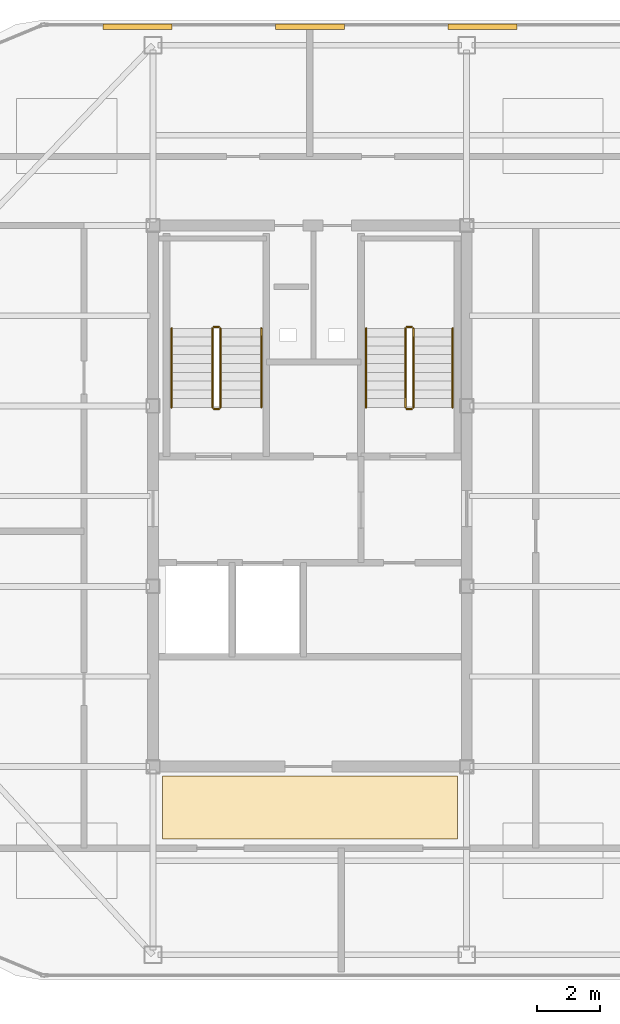
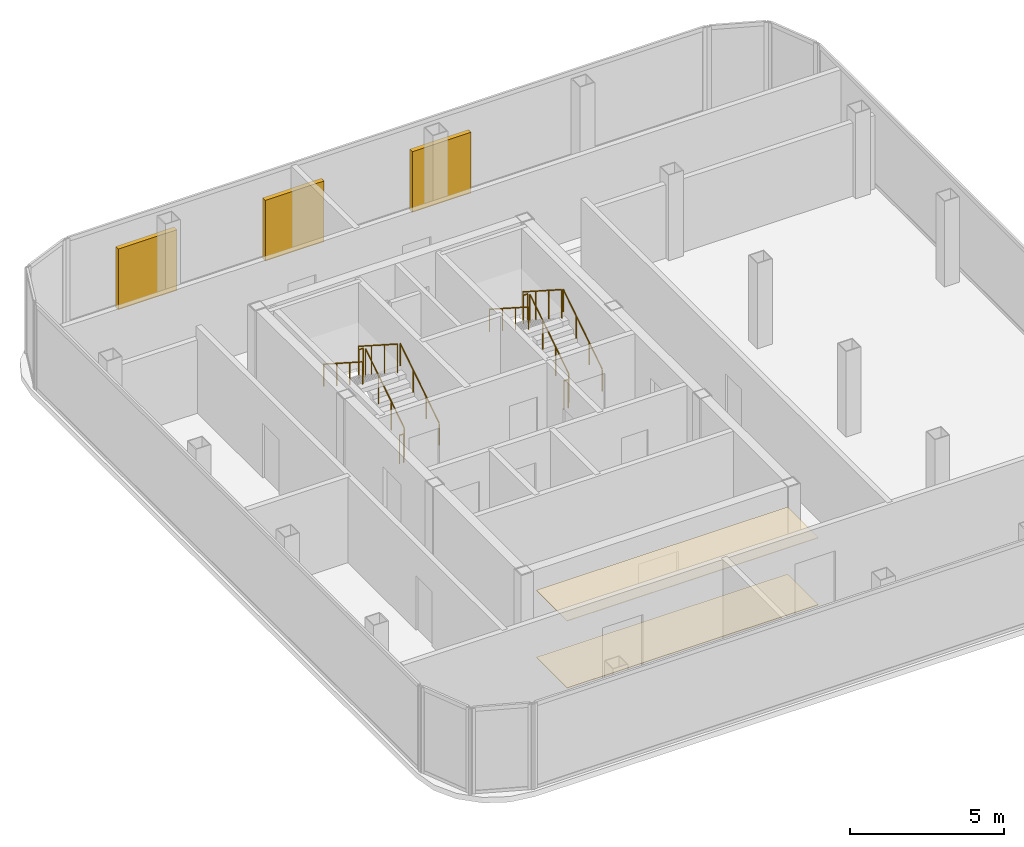
# One storey, part 11 of 11: 12 railings, 3 shading devices, 2 coverings.
"""IFC4 building model written with IfcOpenShell, lengths in metres."""

import ifcopenshell
import ifcopenshell.guid

model = None  # the IFC model being written
_history = None  # IfcOwnerHistory: only IFC2X3 demands one
_inside = {}  # id of a spatial element -> (the spatial element, [elements in it])
_under = {}  # id of a project, library or spatial element -> (it, [spatial elements below it])
_declared = {}  # id of a project -> (the project, [libraries it declares])
_typed = {}  # id of a type object -> (the type object, [elements of that type])
_made_of = {}  # id of a material, layer set ... -> (it, [elements and type objects made of it])


def new_model(schema):
    """Start an empty IFC model of exactly this schema.

    Asked for "IFC4X3", IfcOpenShell would pick the latest addendum, in which some entities
    have other attributes; the version numbers below select the first issue.
    IFC2X3 requires an IfcOwnerHistory on every rooted entity: one is made here for all.
    """
    global model, _history
    if schema == "IFC4X3":
        model = ifcopenshell.file(schema_version=(4, 3, 0, 0))
    else:
        model = ifcopenshell.file(schema=schema)
    _inside.clear()
    _under.clear()
    _declared.clear()
    _typed.clear()
    _made_of.clear()
    _history = None
    if model.schema == "IFC2X3":
        org = make("IfcOrganization", Name="unknown")
        user = make(
            "IfcPersonAndOrganization",
            ThePerson=make("IfcPerson", FamilyName="unknown"),
            TheOrganization=org,
        )
        app = make(
            "IfcApplication",
            ApplicationDeveloper=org,
            Version="unknown",
            ApplicationFullName="unknown",
            ApplicationIdentifier="unknown",
        )
        _history = make(
            "IfcOwnerHistory",
            OwningUser=user,
            OwningApplication=app,
            ChangeAction="ADDED",
            CreationDate=0,
        )
    return model


def make(cls, **values):
    """One entity of the class cls with the attributes given. An attribute that is None is left unset."""
    return model.create_entity(
        cls, **{name: value for name, value in values.items() if value is not None}
    )


def rooted(cls, **values):
    """An entity with a GlobalId (a new one), such as an element, a storey or a relation."""
    return make(cls, GlobalId=ifcopenshell.guid.new(), OwnerHistory=_history, **values)


def si_unit(unit_type, name, prefix=None):
    """IfcSIUnit, for example si_unit("LENGTHUNIT", "METRE", prefix="MILLI")."""
    return make("IfcSIUnit", UnitType=unit_type, Prefix=prefix, Name=name)


def assignment(units):
    """IfcUnitAssignment: the units of a project."""
    return None if units is None else make("IfcUnitAssignment", Units=units)


def point(xyz):
    """IfcCartesianPoint."""
    return None if xyz is None else make("IfcCartesianPoint", Coordinates=xyz)


def direction(xyz):
    """IfcDirection."""
    return None if xyz is None else make("IfcDirection", DirectionRatios=xyz)


def frame(location, z_axis=None, x_axis=None):
    """IfcAxis2Placement3D, a coordinate frame: its origin and axes. An axis left out is left unset."""
    return make(
        "IfcAxis2Placement3D",
        Location=point(location),
        Axis=direction(z_axis),
        RefDirection=direction(x_axis),
    )


def frame_2d(location, x_axis=None):
    """IfcAxis2Placement2D, a coordinate frame in the plane: its origin and x axis."""
    return make(
        "IfcAxis2Placement2D", Location=point(location), RefDirection=direction(x_axis)
    )


def origin():
    """The frame at (0, 0, 0) with its axes left unset."""
    return frame((0.0, 0.0, 0.0))


def origin_2d():
    """The frame at (0, 0) in the plane with its x axis left unset."""
    return frame_2d((0.0, 0.0))


def place(relative_to, where):
    """IfcLocalPlacement: puts the frame where relative to a parent placement (None: the world)."""
    return make(
        "IfcLocalPlacement", PlacementRelTo=relative_to, RelativePlacement=where
    )


def context(
    kind, dimensions, precision=None, world=None, true_north=None, identifier=None
):
    """IfcGeometricRepresentationContext, for example the 3D "Model" context."""
    return make(
        "IfcGeometricRepresentationContext",
        ContextIdentifier=identifier,
        ContextType=kind,
        CoordinateSpaceDimension=dimensions,
        Precision=precision,
        WorldCoordinateSystem=world,
        TrueNorth=true_north,
    )


def subcontext(parent, identifier, kind, view, scale=None):
    """IfcGeometricRepresentationSubContext, for example "Body" below "Model"."""
    return make(
        "IfcGeometricRepresentationSubContext",
        ContextIdentifier=identifier,
        ContextType=kind,
        ParentContext=parent,
        TargetScale=scale,
        TargetView=view,
    )


def project(units=None, contexts=None):
    """IfcProject with its units and contexts."""
    return rooted(
        "IfcProject",
        Name="project",
        RepresentationContexts=contexts,
        UnitsInContext=assignment(units),
    )


def spatial(cls, under=None, at=None, **own):
    """A site, building, storey or space (cls), placed at a placement, below another one or the project."""
    s = rooted(cls, ObjectPlacement=at, **own)
    if under is not None:
        _under.setdefault(under.id(), (under, []))[1].append(s)
    return s


def polyline(points):
    """IfcPolyline through the points."""
    return make("IfcPolyline", Points=[point(p) for p in points])


def profile(cls, at=None, kind="AREA", **sizes):
    """A parametric profile (cls). Its sizes go by their IFC names, for example OverallWidth=200.0."""
    return make(cls, ProfileType=kind, Position=at, **sizes)


def rectangle(**sizes):
    """IfcRectangleProfileDef."""
    return profile("IfcRectangleProfileDef", **sizes)


def circle(**sizes):
    """IfcCircleProfileDef."""
    return profile("IfcCircleProfileDef", **sizes)


def outline(outer, holes=None, kind="AREA"):
    """IfcArbitraryClosedProfileDef: a profile drawn as a closed curve; with holes, ...WithVoids."""
    if holes is None:
        return make("IfcArbitraryClosedProfileDef", ProfileType=kind, OuterCurve=outer)
    return make(
        "IfcArbitraryProfileDefWithVoids",
        ProfileType=kind,
        OuterCurve=outer,
        InnerCurves=holes,
    )


def extrude(swept, where, along, depth):
    """IfcExtrudedAreaSolid: the profile swept, set in the frame where, extruded along a direction by depth."""
    return make(
        "IfcExtrudedAreaSolid",
        SweptArea=swept,
        Position=where,
        ExtrudedDirection=direction(along),
        Depth=depth,
    )


def shape(context_of_items, identifier, shape_type, items):
    """IfcShapeRepresentation: the items that make up one representation, for example the "Body"."""
    return make(
        "IfcShapeRepresentation",
        ContextOfItems=context_of_items,
        RepresentationIdentifier=identifier,
        RepresentationType=shape_type,
        Items=items,
    )


def source(mapping_origin, context_of_items, identifier, shape_type, items):
    """IfcRepresentationMap: a shape defined once, which mapped items show again and again."""
    return make(
        "IfcRepresentationMap",
        MappingOrigin=mapping_origin,
        MappedRepresentation=shape(context_of_items, identifier, shape_type, items),
    )


def transform(
    local_origin,
    x_axis=None,
    y_axis=None,
    z_axis=None,
    scale=None,
    scale2=None,
    scale3=None,
    uniform=True,
):
    """IfcCartesianTransformationOperator3D, or its non-uniform kind. x_axis, y_axis, z_axis: its Axis1, 2, 3."""
    if uniform:
        return make(
            "IfcCartesianTransformationOperator3D",
            Axis1=direction(x_axis),
            Axis2=direction(y_axis),
            LocalOrigin=point(local_origin),
            Scale=scale,
            Axis3=direction(z_axis),
        )
    return make(
        "IfcCartesianTransformationOperator3DnonUniform",
        Axis1=direction(x_axis),
        Axis2=direction(y_axis),
        LocalOrigin=point(local_origin),
        Scale=scale,
        Axis3=direction(z_axis),
        Scale2=scale2,
        Scale3=scale3,
    )


def mapped(mapping_source, mapping_target):
    """IfcMappedItem: shows the shape of a source again, moved by a transform."""
    return make(
        "IfcMappedItem", MappingSource=mapping_source, MappingTarget=mapping_target
    )


def material(Name=None, Category=None):
    """IfcMaterial."""
    return make("IfcMaterial", Name=Name, Category=Category)


def layer(
    of_material, thickness, ventilated=None, Name=None, Category=None, Priority=None
):
    """IfcMaterialLayer: one layer of a wall or slab, of a material (None: an air gap)."""
    return make(
        "IfcMaterialLayer",
        Material=of_material,
        LayerThickness=thickness,
        IsVentilated=ventilated,
        Name=Name,
        Category=Category,
        Priority=Priority,
    )


def layer_set(layers, Name=None):
    """IfcMaterialLayerSet."""
    return make("IfcMaterialLayerSet", MaterialLayers=layers, LayerSetName=Name)


def made_of(thing, what):
    """Note that an element or type object is made of a material, layer set ...; save() writes the relation."""
    if what is not None:
        _made_of.setdefault(what.id(), (what, []))[1].append(thing)
    return thing


def type_object(cls, material=None, **own):
    """A type object (cls), such as IfcWallType, which elements share."""
    return made_of(rooted(cls, **own), material)


def element(
    cls,
    number,
    at=None,
    inside=None,
    cuts=None,
    type_object=None,
    material=None,
    context=None,
    identifier="Body",
    shape_type=None,
    held_by="IfcProductDefinitionShape",
    body=None,
    shapes=None,
    **own,
):
    """One element of the class cls, such as IfcWall. Its Tag is "e" and its number.

    at: its placement. inside: the storey or other place that contains it. cuts: it is an
    opening in that element (IfcRelVoidsElement). A single representation is given by context,
    identifier, shape_type and body (its items); several are given by shapes. held_by: the class
    of the entity that holds the representations. save() writes the other relations.
    """
    e = rooted(cls, Tag="e%d" % number, ObjectPlacement=at, **own)
    if body is not None:
        shapes = [shape(context, identifier, shape_type, body)]
    if shapes is not None:
        e.Representation = make(held_by, Representations=shapes)
    if inside is not None:
        _inside.setdefault(inside.id(), (inside, []))[1].append(e)
    if cuts is not None:
        rooted(
            "IfcRelVoidsElement", RelatingBuildingElement=cuts, RelatedOpeningElement=e
        )
    if type_object is not None:
        _typed.setdefault(type_object.id(), (type_object, []))[1].append(e)
    return made_of(e, material)


def aggregate(whole, parts):
    """IfcRelAggregates: a whole, such as a stair, and the parts it consists of."""
    return rooted("IfcRelAggregates", RelatingObject=whole, RelatedObjects=parts)


def save(model, path):
    """Write the relations noted so far, then the file.

    IfcRelAggregates (storeys below a building ...), IfcRelContainedInSpatialStructure (elements
    in a storey), IfcRelDefinesByType, IfcRelAssociatesMaterial and IfcRelDeclares: one each for
    every whole, place, type object, material and project.
    """
    for whole, parts in _under.values():
        aggregate(whole, parts)
    for where, things in _inside.values():
        rooted(
            "IfcRelContainedInSpatialStructure",
            RelatedElements=things,
            RelatingStructure=where,
        )
    for kind, things in _typed.values():
        rooted("IfcRelDefinesByType", RelatedObjects=things, RelatingType=kind)
    for what, things in _made_of.values():
        rooted("IfcRelAssociatesMaterial", RelatedObjects=things, RelatingMaterial=what)
    for by, libraries in _declared.values():
        rooted("IfcRelDeclares", RelatingContext=by, RelatedDefinitions=libraries)
    model.write(path)


model = new_model("IFC4")

# Units and contexts
model_context = context("Model", 3, precision=1e-05, world=origin(), true_north=direction((0.0, 1.0)))
body_context = subcontext(model_context, "Body", "Model", "MODEL_VIEW")
ifc_project = project(units=[si_unit("LENGTHUNIT", "METRE"), si_unit("AREAUNIT", "SQUARE_METRE"), si_unit("VOLUMEUNIT", "CUBIC_METRE"), si_unit("PLANEANGLEUNIT", "RADIAN"), si_unit("MASSUNIT", "GRAM", prefix="KILO")], contexts=[model_context])

# Site, building, storey
site_placement = place(None, origin())
site = spatial("IfcSite", under=ifc_project, at=site_placement, CompositionType="ELEMENT")
building_placement = place(site_placement, origin())
building = spatial("IfcBuilding", under=site, at=building_placement, Name="Kolveth Station Tower", CompositionType="ELEMENT")
storey_placement = place(building_placement, frame((0.0, 0.0, 282.10009765625)))
storey = spatial("IfcBuildingStorey", under=building, at=storey_placement, Name="L81", CompositionType="ELEMENT", Elevation=282.10009765625)

# Coverings
ifc_material_1 = material(Name="Acoustic mineral-fibre ceiling tile")
ifc_layer_1 = layer(ifc_material_1, 0.02490234375)
ifc_layer_set_1 = layer_set([ifc_layer_1], Name="Acoustic mineral-fibre ceiling tile")
covering_type_1 = type_object("IfcCoveringType", Name="Ceil_CL1", PredefinedType="CEILING", material=ifc_layer_set_1)
covering_1_placement = place(storey_placement, frame((0.0, 0.0, 2.64990234375)))
element("IfcCovering", 1, at=covering_1_placement, inside=storey, type_object=covering_type_1, Name="L81 Lift Lobby Suspended Ceiling", PredefinedType="CEILING", context=body_context, shape_type="SweptSolid", body=[
    extrude(outline(polyline([(18.800048828125, 9.199951171875), (28.199951171875, 9.199951171875), (28.199951171875, 11.199951171875), (18.800048828125, 11.199951171875), (18.800048828125, 9.199951171875)])), origin(), (0.0, 0.0, 1.0), 0.02490234375),
])
ifc_material_2 = material(Name="Honed terrazzo flooring")
ifc_layer_2 = layer(ifc_material_2, 0.02001953125)
ifc_layer_set_2 = layer_set([ifc_layer_2], Name="Honed terrazzo flooring")
covering_type_2 = type_object("IfcCoveringType", Name="Floor_FL1", PredefinedType="FLOORING", material=ifc_layer_set_2)
covering_2_placement = place(storey_placement, origin())
element("IfcCovering", 2, at=covering_2_placement, inside=storey, type_object=covering_type_2, Name="L81 Lift Lobby Floor Finish", PredefinedType="FLOORING", context=body_context, shape_type="SweptSolid", body=[
    extrude(outline(polyline([(18.800048828125, 9.199951171875), (28.199951171875, 9.199951171875), (28.199951171875, 11.199951171875), (18.800048828125, 11.199951171875), (18.800048828125, 9.199951171875)])), origin(), (0.0, 0.0, 1.0), 0.02001953125),
])

# Railings
ifc_material_3 = material(Name="Painted Steel S355 balustrade", Category="steel")
railing_type_1 = type_object("IfcRailingType", Name="Guard_GR2", PredefinedType="BALUSTRADE", material=ifc_material_3)
railing_1_placement = place(storey_placement, frame((20.64990234375, 22.949951171875, 0.179931640625)))
element("IfcRailing", 3, at=railing_1_placement, inside=storey, type_object=railing_type_1, Name="L81 ST1 stair guard 1", PredefinedType="BALUSTRADE", context=body_context, shape_type="SweptSolid", body=[
    extrude(circle(Radius=0.02392578125, at=origin_2d()), frame((0.0, 0.0, 1.1259765625), z_axis=(0.0, 0.841199657755, 0.540724639528), x_axis=(-1.0, 0.0, 0.0)), (0.0, 0.0, 1.0), 2.995849609375),
    extrude(circle(Radius=0.02099609375, at=origin_2d()), origin(), (0.0, 0.0, 1.0), 1.101806640625),
    extrude(circle(Radius=0.02099609375, at=origin_2d()), frame((0.0, 0.840087890625, 0.5400390625)), (0.0, 0.0, 1.0), 1.101806640625),
    extrude(circle(Radius=0.02099609375, at=origin_2d()), frame((0.0, 1.679931640625, 1.079833984375)), (0.0, 0.0, 1.0), 1.101806640625),
    extrude(circle(Radius=0.02099609375, at=origin_2d()), frame((0.0, 2.52001953125, 1.619873046875)), (0.0, 0.0, 1.0), 1.101806640625),
])
railing_2_placement = place(storey_placement, frame((20.60009765625, 25.52001953125, 1.7998046875)))
element("IfcRailing", 4, at=railing_2_placement, inside=storey, type_object=railing_type_1, Name="L81 ST1 stair guard 2", PredefinedType="BALUSTRADE", context=body_context, shape_type="SweptSolid", body=[
    extrude(circle(Radius=0.02392578125, at=origin_2d()), frame((0.0, 0.0, 1.1259765625), z_axis=(-1.0, 0.0, 0.0), x_axis=(0.0, -1.0, 0.0)), (0.0, 0.0, 1.0), 0.16015625),
    extrude(circle(Radius=0.02099609375, at=origin_2d()), origin(), (0.0, 0.0, 1.0), 1.101806640625),
    extrude(circle(Radius=0.02099609375, at=origin_2d()), frame((-0.16015625, 0.0, 0.0)), (0.0, 0.0, 1.0), 1.101806640625),
])
railing_3_placement = place(storey_placement, frame((20.389892578125, 25.469970703125, 1.97998046875)))
element("IfcRailing", 5, at=railing_3_placement, inside=storey, type_object=railing_type_1, Name="L81 ST1 stair guard 3", PredefinedType="BALUSTRADE", context=body_context, shape_type="SweptSolid", body=[
    extrude(circle(Radius=0.02392578125, at=origin_2d()), frame((0.0, 0.0, 1.1259765625), z_axis=(0.0, -0.841199657755, 0.540724639528), x_axis=(1.0, 0.0, 0.0)), (0.0, 0.0, 1.0), 2.995849609375),
    extrude(circle(Radius=0.02099609375, at=origin_2d()), origin(), (0.0, 0.0, 1.0), 1.101806640625),
    extrude(circle(Radius=0.02099609375, at=origin_2d()), frame((0.0, -0.840087890625, 0.5400390625)), (0.0, 0.0, 1.0), 1.101806640625),
    extrude(circle(Radius=0.02099609375, at=origin_2d()), frame((0.0, -1.679931640625, 1.079833984375)), (0.0, 0.0, 1.0), 1.101806640625),
    extrude(circle(Radius=0.02099609375, at=origin_2d()), frame((0.0, -2.52001953125, 1.619873046875)), (0.0, 0.0, 1.0), 1.101806640625),
])
railing_4_placement = place(storey_placement, frame((20.60009765625, 22.89990234375, 0.0)))
element("IfcRailing", 6, at=railing_4_placement, inside=storey, type_object=railing_type_1, Name="L81 ST1 stair guard 4", PredefinedType="BALUSTRADE", context=body_context, shape_type="SweptSolid", body=[
    extrude(circle(Radius=0.02392578125, at=origin_2d()), frame((0.0, 0.0, 1.1259765625), z_axis=(-1.0, 0.0, 0.0), x_axis=(0.0, -1.0, 0.0)), (0.0, 0.0, 1.0), 0.16015625),
    extrude(circle(Radius=0.02099609375, at=origin_2d()), origin(), (0.0, 0.0, 1.0), 1.101806640625),
    extrude(circle(Radius=0.02099609375, at=origin_2d()), frame((-0.16015625, 0.0, 0.0)), (0.0, 0.0, 1.0), 1.101806640625),
])
railing_5_placement = place(storey_placement, frame((26.800048828125, 22.949951171875, 0.179931640625)))
element("IfcRailing", 7, at=railing_5_placement, inside=storey, type_object=railing_type_1, Name="L81 ST2 stair guard 1", PredefinedType="BALUSTRADE", context=body_context, shape_type="SweptSolid", body=[
    extrude(circle(Radius=0.02392578125, at=origin_2d()), frame((0.0, 0.0, 1.1259765625), z_axis=(0.0, 0.841199657755, 0.540724639528), x_axis=(-1.0, 0.0, 0.0)), (0.0, 0.0, 1.0), 2.995849609375),
    extrude(circle(Radius=0.02099609375, at=origin_2d()), origin(), (0.0, 0.0, 1.0), 1.101806640625),
    extrude(circle(Radius=0.02099609375, at=origin_2d()), frame((0.0, 0.840087890625, 0.5400390625)), (0.0, 0.0, 1.0), 1.101806640625),
    extrude(circle(Radius=0.02099609375, at=origin_2d()), frame((0.0, 1.679931640625, 1.079833984375)), (0.0, 0.0, 1.0), 1.101806640625),
    extrude(circle(Radius=0.02099609375, at=origin_2d()), frame((0.0, 2.52001953125, 1.619873046875)), (0.0, 0.0, 1.0), 1.101806640625),
])
railing_6_placement = place(storey_placement, frame((26.75, 25.52001953125, 1.7998046875)))
element("IfcRailing", 8, at=railing_6_placement, inside=storey, type_object=railing_type_1, Name="L81 ST2 stair guard 2", PredefinedType="BALUSTRADE", context=body_context, shape_type="SweptSolid", body=[
    extrude(circle(Radius=0.02392578125, at=origin_2d()), frame((0.0, 0.0, 1.1259765625), z_axis=(-1.0, 0.0, 0.0), x_axis=(0.0, -1.0, 0.0)), (0.0, 0.0, 1.0), 0.159912109375),
    extrude(circle(Radius=0.02099609375, at=origin_2d()), origin(), (0.0, 0.0, 1.0), 1.101806640625),
    extrude(circle(Radius=0.02099609375, at=origin_2d()), frame((-0.159912109375, 0.0, 0.0)), (0.0, 0.0, 1.0), 1.101806640625),
])
railing_7_placement = place(storey_placement, frame((26.5400390625, 25.469970703125, 1.97998046875)))
element("IfcRailing", 9, at=railing_7_placement, inside=storey, type_object=railing_type_1, Name="L81 ST2 stair guard 3", PredefinedType="BALUSTRADE", context=body_context, shape_type="SweptSolid", body=[
    extrude(circle(Radius=0.02392578125, at=origin_2d()), frame((0.0, 0.0, 1.1259765625), z_axis=(0.0, -0.841199657755, 0.540724639528), x_axis=(1.0, 0.0, 0.0)), (0.0, 0.0, 1.0), 2.995849609375),
    extrude(circle(Radius=0.02099609375, at=origin_2d()), origin(), (0.0, 0.0, 1.0), 1.101806640625),
    extrude(circle(Radius=0.02099609375, at=origin_2d()), frame((0.0, -0.840087890625, 0.5400390625)), (0.0, 0.0, 1.0), 1.101806640625),
    extrude(circle(Radius=0.02099609375, at=origin_2d()), frame((0.0, -1.679931640625, 1.079833984375)), (0.0, 0.0, 1.0), 1.101806640625),
    extrude(circle(Radius=0.02099609375, at=origin_2d()), frame((0.0, -2.52001953125, 1.619873046875)), (0.0, 0.0, 1.0), 1.101806640625),
])
railing_8_placement = place(storey_placement, frame((26.75, 22.89990234375, 0.0)))
element("IfcRailing", 10, at=railing_8_placement, inside=storey, type_object=railing_type_1, Name="L81 ST2 stair guard 4", PredefinedType="BALUSTRADE", context=body_context, shape_type="SweptSolid", body=[
    extrude(circle(Radius=0.02392578125, at=origin_2d()), frame((0.0, 0.0, 1.1259765625), z_axis=(-1.0, 0.0, 0.0), x_axis=(0.0, -1.0, 0.0)), (0.0, 0.0, 1.0), 0.159912109375),
    extrude(circle(Radius=0.02099609375, at=origin_2d()), origin(), (0.0, 0.0, 1.0), 1.101806640625),
    extrude(circle(Radius=0.02099609375, at=origin_2d()), frame((-0.159912109375, 0.0, 0.0)), (0.0, 0.0, 1.0), 1.101806640625),
])
ifc_material_4 = material(Name="Brushed stainless steel", Category="steel")
railing_type_2 = type_object("IfcRailingType", Name="Handrail_HR1", PredefinedType="HANDRAIL", material=ifc_material_4)
railing_9_placement = place(storey_placement, frame((21.949951171875, 22.949951171875, 0.179931640625)))
element("IfcRailing", 11, at=railing_9_placement, inside=storey, type_object=railing_type_2, Name="L81 ST1 stair handrail 1", PredefinedType="HANDRAIL", context=body_context, shape_type="SweptSolid", body=[
    extrude(circle(Radius=0.02392578125, at=origin_2d()), frame((0.0, 0.0, 0.8759765625), z_axis=(0.0, 0.841199657755, 0.540724639528), x_axis=(-1.0, 0.0, 0.0)), (0.0, 0.0, 1.0), 2.995849609375),
    extrude(circle(Radius=0.02099609375, at=origin_2d()), origin(), (0.0, 0.0, 1.0), 0.851806640625),
    extrude(circle(Radius=0.02099609375, at=origin_2d()), frame((0.0, 0.840087890625, 0.5400390625)), (0.0, 0.0, 1.0), 0.851806640625),
    extrude(circle(Radius=0.02099609375, at=origin_2d()), frame((0.0, 1.679931640625, 1.079833984375)), (0.0, 0.0, 1.0), 0.851806640625),
    extrude(circle(Radius=0.02099609375, at=origin_2d()), frame((0.0, 2.52001953125, 1.619873046875)), (0.0, 0.0, 1.0), 0.851806640625),
])
railing_10_placement = place(storey_placement, frame((19.090087890625, 25.469970703125, 1.97998046875)))
element("IfcRailing", 12, at=railing_10_placement, inside=storey, type_object=railing_type_2, Name="L81 ST1 stair handrail 2", PredefinedType="HANDRAIL", context=body_context, shape_type="SweptSolid", body=[
    extrude(circle(Radius=0.02392578125, at=origin_2d()), frame((0.0, 0.0, 0.8759765625), z_axis=(0.0, -0.841199657755, 0.540724639528), x_axis=(1.0, 0.0, 0.0)), (0.0, 0.0, 1.0), 2.995849609375),
    extrude(circle(Radius=0.02099609375, at=origin_2d()), origin(), (0.0, 0.0, 1.0), 0.851806640625),
    extrude(circle(Radius=0.02099609375, at=origin_2d()), frame((0.0, -0.840087890625, 0.5400390625)), (0.0, 0.0, 1.0), 0.851806640625),
    extrude(circle(Radius=0.02099609375, at=origin_2d()), frame((0.0, -1.679931640625, 1.079833984375)), (0.0, 0.0, 1.0), 0.851806640625),
    extrude(circle(Radius=0.02099609375, at=origin_2d()), frame((0.0, -2.52001953125, 1.619873046875)), (0.0, 0.0, 1.0), 0.851806640625),
])
railing_11_placement = place(storey_placement, frame((28.050048828125, 22.949951171875, 0.179931640625)))
element("IfcRailing", 13, at=railing_11_placement, inside=storey, type_object=railing_type_2, Name="L81 ST2 stair handrail 1", PredefinedType="HANDRAIL", context=body_context, shape_type="SweptSolid", body=[
    extrude(circle(Radius=0.02392578125, at=origin_2d()), frame((0.0, 0.0, 0.8759765625), z_axis=(0.0, 0.841199657755, 0.540724639528), x_axis=(-1.0, 0.0, 0.0)), (0.0, 0.0, 1.0), 2.995849609375),
    extrude(circle(Radius=0.02099609375, at=origin_2d()), origin(), (0.0, 0.0, 1.0), 0.851806640625),
    extrude(circle(Radius=0.02099609375, at=origin_2d()), frame((0.0, 0.840087890625, 0.5400390625)), (0.0, 0.0, 1.0), 0.851806640625),
    extrude(circle(Radius=0.02099609375, at=origin_2d()), frame((0.0, 1.679931640625, 1.079833984375)), (0.0, 0.0, 1.0), 0.851806640625),
    extrude(circle(Radius=0.02099609375, at=origin_2d()), frame((0.0, 2.52001953125, 1.619873046875)), (0.0, 0.0, 1.0), 0.851806640625),
])
railing_12_placement = place(storey_placement, frame((25.2900390625, 25.469970703125, 1.97998046875)))
element("IfcRailing", 14, at=railing_12_placement, inside=storey, type_object=railing_type_2, Name="L81 ST2 stair handrail 2", PredefinedType="HANDRAIL", context=body_context, shape_type="SweptSolid", body=[
    extrude(circle(Radius=0.02392578125, at=origin_2d()), frame((0.0, 0.0, 0.8759765625), z_axis=(0.0, -0.841199657755, 0.540724639528), x_axis=(1.0, 0.0, 0.0)), (0.0, 0.0, 1.0), 2.995849609375),
    extrude(circle(Radius=0.02099609375, at=origin_2d()), origin(), (0.0, 0.0, 1.0), 0.851806640625),
    extrude(circle(Radius=0.02099609375, at=origin_2d()), frame((0.0, -0.840087890625, 0.5400390625)), (0.0, 0.0, 1.0), 0.851806640625),
    extrude(circle(Radius=0.02099609375, at=origin_2d()), frame((0.0, -1.679931640625, 1.079833984375)), (0.0, 0.0, 1.0), 0.851806640625),
    extrude(circle(Radius=0.02099609375, at=origin_2d()), frame((0.0, -2.52001953125, 1.619873046875)), (0.0, 0.0, 1.0), 0.851806640625),
])

# Shading devices
ifc_material_5 = material(Name="Black anodized aluminium 6063-T6", Category="aluminium")
shading_device_type = type_object("IfcShadingDeviceType", Name="Louvre_LV1", PredefinedType="JALOUSIE", material=ifc_material_5)
shared_shape = source(origin(), body_context, "Body", "SweptSolid", [
    extrude(rectangle(XDim=2.199951171875, YDim=0.179931640625, at=origin_2d()), origin(), (0.0, 0.0, 1.0), 2.39990234375),
])
for number, where, z_axis, x_axis, name in (
    (15, (18.0, 35.080078125, 0.0), (0.0, 0.0, 1.0), (1.0, 0.0, 0.0), "L81 Crown Plant Louvre 1"),
    (16, (23.5, 35.080078125, 0.0), (0.0, 0.0, 1.0), (1.0, 0.0, 0.0), "L81 Crown Plant Louvre 2"),
    (17, (29.0, 35.080078125, 0.0), (0.0, 0.0, 1.0), (1.0, 0.0, 0.0), "L81 Crown Plant Louvre 3"),
):
    element("IfcShadingDevice", number, at=place(storey_placement, frame(where, z_axis=z_axis, x_axis=x_axis)), inside=storey, type_object=shading_device_type, Name=name, PredefinedType="JALOUSIE", context=body_context, shape_type="MappedRepresentation", body=[
        mapped(shared_shape, transform((0.0, 0.0, 0.0), x_axis=(1.0, 0.0, 0.0), y_axis=(0.0, 1.0, 0.0), z_axis=(0.0, 0.0, 1.0), scale=1.0)),
    ])

save(model, "model.ifc")
